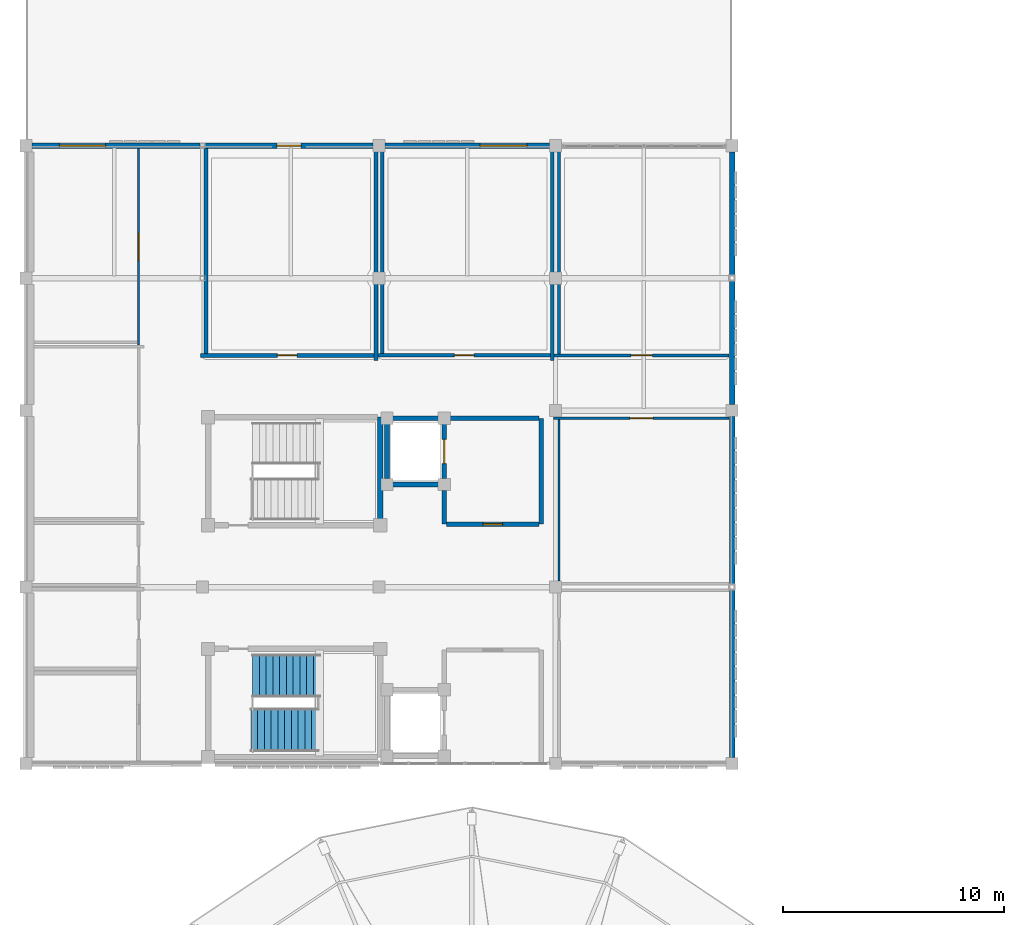
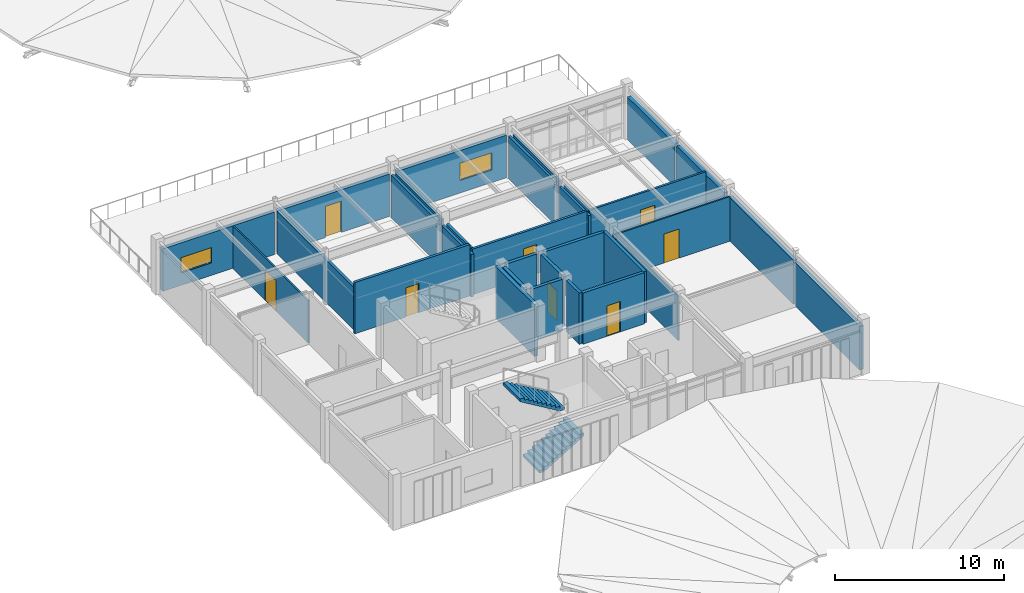
# One storey, part 27 of 31: 31 walls, 8 doors, 2 stair flights, 2 windows, 10 openings, 1 element without a shape of its own.
"""IFC4 building model written with IfcOpenShell, lengths in metres."""

from ifc_helpers import new_model, si_unit, direction, frame, frame_2d, origin, place, context, subcontext, project, spatial, polyline, rectangle, outline, extrude, material, layer, layer_set, type_object, element, fill, aggregate, save


model = new_model("IFC4")

# Units and contexts
model_context = context("Model", 3, precision=1e-05, world=origin(), true_north=direction((0.0, 1.0)))
body_context = subcontext(model_context, "Body", "Model", "MODEL_VIEW")
ifc_project = project(units=[si_unit("LENGTHUNIT", "METRE"), si_unit("AREAUNIT", "SQUARE_METRE"), si_unit("VOLUMEUNIT", "CUBIC_METRE"), si_unit("PLANEANGLEUNIT", "RADIAN"), si_unit("MASSUNIT", "GRAM", prefix="KILO")], contexts=[model_context])

# Site, building, storey
site_placement = place(None, origin())
site = spatial("IfcSite", under=ifc_project, at=site_placement, CompositionType="ELEMENT")
building_placement = place(site_placement, origin())
building = spatial("IfcBuilding", under=site, at=building_placement, Name="Celadon Cloister-Ring School", CompositionType="ELEMENT")
storey_placement = place(building_placement, frame((0.0, 0.0, 16.5)))
storey = spatial("IfcBuildingStorey", under=building, at=storey_placement, Name="L04", CompositionType="ELEMENT", Elevation=16.5)

# Wall, opening, window
ifc_material_1 = material(Name="Rendered concrete blockwork", Category="masonry")
ifc_layer_1 = layer(ifc_material_1, 0.260009765625)
ifc_layer_set_1 = layer_set([ifc_layer_1], Name="Rendered concrete blockwork")
wall_type_1 = type_object("IfcWallType", Name="WT-EX2", PredefinedType="SOLIDWALL", material=ifc_layer_set_1)
wall_1_placement = place(storey_placement, frame((0.277099609375, 68.0, 0.0), z_axis=(0.0, 0.0, 1.0), x_axis=(1.0, 0.0, 0.0)))
wall_1 = element("IfcWall", 1, at=wall_1_placement, inside=storey, type_object=wall_type_1, Name="Exterior Wall 0543", PredefinedType="SOLIDWALL", context=body_context, shape_type="SweptSolid", body=[
    extrude(rectangle(XDim=7.61083984375, YDim=0.260009765625, at=frame_2d((3.805419921875, 0.0))), origin(), (0.0, 0.0, 1.0), 3.068115234375),
])
opening_1_placement = place(wall_1_placement, frame((1.23291015625, 0.0, 0.89990234375)))
opening_1 = element("IfcOpeningElement", 2, at=opening_1_placement, cuts=wall_1, Name="Opening WN-09", PredefinedType="OPENING", context=body_context, shape_type="SweptSolid", body=[
    extrude(rectangle(XDim=2.10009765625, YDim=1.10009765625, at=frame_2d((1.050048828125, 0.550048828125))), frame((0.0, 0.14013671875, 0.0), z_axis=(0.0, -1.0, 0.0), x_axis=(1.0, 0.0, 0.0)), (0.0, 0.0, 1.0), 0.280029296875),
])
ifc_material_2 = material(Name="Tempered laminated insulating glass", Category="glass")
window_type_1 = type_object("IfcWindowType", Name="WN-09", PartitioningType="DOUBLE_PANEL_VERTICAL", PredefinedType="WINDOW", material=ifc_material_2)
window_1_placement = place(opening_1_placement, origin())
window_1 = element("IfcWindow", 3, at=window_1_placement, inside=storey, type_object=window_type_1, Name="Window 1010", OverallHeight=1.10009765625, OverallWidth=2.10009765625, PartitioningType="SINGLE_PANEL", PredefinedType="WINDOW", context=body_context, shape_type="SweptSolid", body=[
    extrude(rectangle(XDim=2.10009765625, YDim=1.10009765625, at=frame_2d((1.050048828125, 0.550048828125))), frame((0.0, 0.030029296875, 0.0), z_axis=(0.0, -1.0, 0.0), x_axis=(1.0, 0.0, 0.0)), (0.0, 0.0, 1.0), 0.06005859375),
])
fill(opening_1, window_1)

# Wall, opening, door
wall_2_placement = place(storey_placement, frame((8.112060546875, 68.0, 0.0), z_axis=(0.0, 0.0, 1.0), x_axis=(1.0, 0.0, 0.0)))
wall_2 = element("IfcWall", 4, at=wall_2_placement, inside=storey, type_object=wall_type_1, Name="Exterior Wall 0544", PredefinedType="SOLIDWALL", context=body_context, shape_type="SweptSolid", body=[
    extrude(rectangle(XDim=7.61083984375, YDim=0.260009765625, at=frame_2d((3.805419921875, 0.0))), origin(), (0.0, 0.0, 1.0), 3.068115234375),
])
opening_2_placement = place(wall_2_placement, frame((3.256103515625, 0.0, 0.0)))
opening_2 = element("IfcOpeningElement", 5, at=opening_2_placement, cuts=wall_2, Name="Opening D-0026", PredefinedType="OPENING", context=body_context, shape_type="SweptSolid", body=[
    extrude(rectangle(XDim=1.10009765625, YDim=2.25, at=frame_2d((0.550048828125, 1.125))), frame((0.0, 0.14013671875, 0.0), z_axis=(0.0, -1.0, 0.0), x_axis=(1.0, 0.0, 0.0)), (0.0, 0.0, 1.0), 0.280029296875),
])
ifc_material_3 = material(Name="Aluminium EN AW-6063 T6", Category="aluminium")
door_type_1 = type_object("IfcDoorType", Name="DE-05", OperationType="NOTDEFINED", PredefinedType="DOOR", material=ifc_material_3)
door_1_placement = place(opening_2_placement, origin())
door_1 = element("IfcDoor", 6, at=door_1_placement, inside=storey, type_object=door_type_1, Name="Exterior Door D-0026", OperationType="SINGLE_SWING_RIGHT", OverallHeight=2.25, OverallWidth=1.10009765625, PredefinedType="DOOR", context=body_context, shape_type="SweptSolid", body=[
    extrude(rectangle(XDim=1.10009765625, YDim=2.25, at=frame_2d((0.550048828125, 1.125))), frame((0.0, 0.02490234375, 0.0), z_axis=(0.0, -1.0, 0.0), x_axis=(1.0, 0.0, 0.0)), (0.0, 0.0, 1.0), 0.050048828125),
])
fill(opening_2, door_1)

# Wall, opening, window
wall_3_placement = place(storey_placement, frame((16.277099609375, 68.0, 0.0), z_axis=(0.0, 0.0, 1.0), x_axis=(1.0, 0.0, 0.0)))
wall_3 = element("IfcWall", 7, at=wall_3_placement, inside=storey, type_object=wall_type_1, Name="Exterior Wall 0545", PredefinedType="SOLIDWALL", context=body_context, shape_type="SweptSolid", body=[
    extrude(rectangle(XDim=7.44580078125, YDim=0.260009765625, at=frame_2d((3.722900390625, 0.0))), origin(), (0.0, 0.0, 1.0), 3.068115234375),
])
opening_3_placement = place(wall_3_placement, frame((4.285888671875, 0.0, 0.89990234375)))
opening_3 = element("IfcOpeningElement", 8, at=opening_3_placement, cuts=wall_3, Name="Opening WN-19", PredefinedType="OPENING", context=body_context, shape_type="SweptSolid", body=[
    extrude(rectangle(XDim=2.14990234375, YDim=1.25, at=frame_2d((1.074951171875, 0.625))), frame((0.0, 0.14013671875, 0.0), z_axis=(0.0, -1.0, 0.0), x_axis=(1.0, 0.0, 0.0)), (0.0, 0.0, 1.0), 0.280029296875),
])
ifc_material_4 = material(Name="Tempered laminated insulating glass", Category="glass")
window_type_2 = type_object("IfcWindowType", Name="WN-19", PartitioningType="DOUBLE_PANEL_VERTICAL", PredefinedType="WINDOW", material=ifc_material_4)
window_2_placement = place(opening_3_placement, origin())
window_2 = element("IfcWindow", 9, at=window_2_placement, inside=storey, type_object=window_type_2, Name="Window 1011", OverallHeight=1.25, OverallWidth=2.14990234375, PartitioningType="SINGLE_PANEL", PredefinedType="WINDOW", context=body_context, shape_type="SweptSolid", body=[
    extrude(rectangle(XDim=2.14990234375, YDim=1.25, at=frame_2d((1.074951171875, 0.625))), frame((0.0, 0.030029296875, 0.0), z_axis=(0.0, -1.0, 0.0), x_axis=(1.0, 0.0, 0.0)), (0.0, 0.0, 1.0), 0.06005859375),
])
fill(opening_3, window_2)

# Walls
for number, where, z_axis, x_axis, name in (
    (10, (32.0, 67.722900390625, 0.0), (0.0, 0.0, 1.0), (0.0, -1.0, 0.0), "Exterior Wall 0546"),
    (11, (32.0, 61.887939453125, 0.0), (0.0, 0.0, 1.0), (0.0, -1.0, 0.0), "Exterior Wall 0547"),
):
    element("IfcWall", number, at=place(storey_placement, frame(where, z_axis=z_axis, x_axis=x_axis)), inside=storey, type_object=wall_type_1, Name=name, PredefinedType="SOLIDWALL", context=body_context, shape_type="SweptSolid", body=[
        extrude(rectangle(XDim=5.61083984375, YDim=0.260009765625, at=frame_2d((2.805419921875, 0.0))), origin(), (0.0, 0.0, 1.0), 3.068115234375),
    ])
for number, where, z_axis, x_axis, name in (
    (12, (32.0, 55.722900390625, 0.0), (0.0, 0.0, 1.0), (0.0, -1.0, 0.0), "Exterior Wall 0548"),
    (13, (32.0, 47.887939453125, 0.0), (0.0, 0.0, 1.0), (0.0, -1.0, 0.0), "Exterior Wall 0549"),
):
    element("IfcWall", number, at=place(storey_placement, frame(where, z_axis=z_axis, x_axis=x_axis)), inside=storey, type_object=wall_type_1, Name=name, PredefinedType="SOLIDWALL", context=body_context, shape_type="SweptSolid", body=[
        extrude(rectangle(XDim=7.61083984375, YDim=0.260009765625, at=frame_2d((3.805419921875, 0.0))), origin(), (0.0, 0.0, 1.0), 3.14892578125),
    ])
ifc_material_5 = material(Name="Plastered hollow concrete masonry", Category="masonry")
ifc_layer_2 = layer(ifc_material_5, 0.199951171875)
ifc_layer_set_2 = layer_set([ifc_layer_2], Name="Plastered hollow concrete masonry")
wall_type_2 = type_object("IfcWallType", Name="WT-PT1", PredefinedType="PARTITIONING", material=ifc_layer_set_2)
wall_4_placement = place(storey_placement, frame((18.949951171875, 50.85009765625, 0.0), z_axis=(0.0, 0.0, 1.0), x_axis=(0.0, 1.0, 0.0)))
element("IfcWall", 14, at=wall_4_placement, inside=storey, type_object=wall_type_2, Name="Interior Wall 0287", PredefinedType="PARTITIONING", context=body_context, shape_type="SweptSolid", body=[
    extrude(rectangle(XDim=1.532958984375, YDim=0.199951171875, at=frame_2d((0.7666015625, 0.0))), origin(), (0.0, 0.0, 1.0), 3.699951171875),
])
wall_5_placement = place(storey_placement, frame((23.35009765625, 50.85009765625, 0.0), z_axis=(0.0, 0.0, 1.0), x_axis=(0.0, 1.0, 0.0)))
element("IfcWall", 15, at=wall_5_placement, inside=storey, type_object=wall_type_2, Name="Interior Wall 0288", PredefinedType="PARTITIONING", context=body_context, shape_type="SweptSolid", body=[
    extrude(rectangle(XDim=4.7998046875, YDim=0.199951171875, at=frame_2d((2.39990234375, 0.0))), origin(), (0.0, 0.0, 1.0), 3.699951171875),
])
wall_6_placement = place(storey_placement, frame((19.217041015625, 55.64990234375, 0.0), z_axis=(0.0, 0.0, 1.0), x_axis=(1.0, 0.0, 0.0)))
element("IfcWall", 16, at=wall_6_placement, inside=storey, type_object=wall_type_2, Name="Interior Wall 0289", PredefinedType="PARTITIONING", context=body_context, shape_type="SweptSolid", body=[
    extrude(rectangle(XDim=4.030029296875, YDim=0.199951171875, at=frame_2d((2.01513671875, 0.0))), origin(), (0.0, 0.0, 1.0), 3.699951171875),
])

# Wall, opening, door
wall_7_placement = place(storey_placement, frame((19.052978515625, 50.85009765625, 0.0), z_axis=(0.0, 0.0, 1.0), x_axis=(1.0, 0.0, 0.0)))
wall_7 = element("IfcWall", 17, at=wall_7_placement, inside=storey, type_object=wall_type_2, Name="Interior Wall 0290", PredefinedType="PARTITIONING", context=body_context, shape_type="SweptSolid", body=[
    extrude(rectangle(XDim=4.194091796875, YDim=0.199951171875, at=frame_2d((2.09716796875, 0.0))), origin(), (0.0, 0.0, 1.0), 3.699951171875),
])
opening_4_placement = place(wall_7_placement, frame((1.64697265625, 0.0, 0.0)))
opening_4 = element("IfcOpeningElement", 18, at=opening_4_placement, cuts=wall_7, Name="Opening D-0095", PredefinedType="OPENING", context=body_context, shape_type="SweptSolid", body=[
    extrude(rectangle(XDim=0.89990234375, YDim=2.199951171875, at=frame_2d((0.449951171875, 1.10009765625))), frame((0.0, 0.10986328125, 0.0), z_axis=(0.0, -1.0, 0.0), x_axis=(1.0, 0.0, 0.0)), (0.0, 0.0, 1.0), 0.219970703125),
])
ifc_material_6 = material(Name="Solid-core fire-rated hardwood leaf", Category="wood")
door_type_2 = type_object("IfcDoorType", Name="DT-06", OperationType="NOTDEFINED", PredefinedType="DOOR", material=ifc_material_6)
door_2_placement = place(opening_4_placement, origin())
door_2 = element("IfcDoor", 19, at=door_2_placement, inside=storey, type_object=door_type_2, Name="Door D-0095", OperationType="SINGLE_SWING_LEFT", OverallHeight=2.199951171875, OverallWidth=0.89990234375, PredefinedType="DOOR", context=body_context, shape_type="SweptSolid", body=[
    extrude(rectangle(XDim=0.89990234375, YDim=2.199951171875, at=frame_2d((0.449951171875, 1.10009765625))), frame((0.0, 0.02490234375, 0.0), z_axis=(0.0, -1.0, 0.0), x_axis=(1.0, 0.0, 0.0)), (0.0, 0.0, 1.0), 0.050048828125),
])
fill(opening_4, door_2)

# Walls
ifc_material_7 = material(Name="Plastered hollow concrete masonry", Category="masonry")
ifc_layer_3 = layer(ifc_material_7, 0.179931640625)
ifc_layer_set_3 = layer_set([ifc_layer_3], Name="Plastered hollow concrete masonry")
wall_type_3 = type_object("IfcWallType", Name="WT-PT2", PredefinedType="PARTITIONING", material=ifc_layer_set_3)
wall_8_placement = place(storey_placement, frame((15.85009765625, 67.73291015625, 0.0), z_axis=(0.0, 0.0, 1.0), x_axis=(0.0, -1.0, 0.0)))
element("IfcWall", 20, at=wall_8_placement, inside=storey, type_object=wall_type_3, Name="Interior Wall 1117", PredefinedType="PARTITIONING", context=body_context, shape_type="SweptSolid", body=[
    extrude(rectangle(XDim=5.4658203125, YDim=0.179931640625, at=frame_2d((2.73291015625, 0.0))), origin(), (0.0, 0.0, 1.0), 3.068115234375),
])
wall_9_placement = place(storey_placement, frame((15.85009765625, 61.73291015625, 0.0), z_axis=(0.0, 0.0, 1.0), x_axis=(0.0, -1.0, 0.0)))
element("IfcWall", 21, at=wall_9_placement, inside=storey, type_object=wall_type_3, Name="Interior Wall 1118", PredefinedType="PARTITIONING", context=body_context, shape_type="SweptSolid", body=[
    extrude(rectangle(XDim=3.472900390625, YDim=0.179931640625, at=frame_2d((1.736328125, 0.0))), origin(), (0.0, 0.0, 1.0), 3.068115234375),
])

# Wall, opening, door
wall_10_placement = place(storey_placement, frame((15.757080078125, 58.5, 0.0), z_axis=(0.0, 0.0, 1.0), x_axis=(-1.0, 0.0, 0.0)))
wall_10 = element("IfcWall", 22, at=wall_10_placement, inside=storey, type_object=wall_type_3, Name="Interior Wall 1119", PredefinedType="PARTITIONING", context=body_context, shape_type="SweptSolid", body=[
    extrude(rectangle(XDim=7.84716796875, YDim=0.179931640625, at=frame_2d((3.923583984375, 0.0))), origin(), (0.0, 0.0, 1.0), 3.699951171875),
])
opening_5_placement = place(wall_10_placement, frame((3.48291015625, 0.0, 0.0)))
opening_5 = element("IfcOpeningElement", 23, at=opening_5_placement, cuts=wall_10, Name="Opening D-0397", PredefinedType="OPENING", context=body_context, shape_type="SweptSolid", body=[
    extrude(rectangle(XDim=0.8798828125, YDim=2.10009765625, at=frame_2d((0.43994140625, 1.050048828125))), frame((0.0, 0.10009765625, 0.0), z_axis=(0.0, -1.0, 0.0), x_axis=(1.0, 0.0, 0.0)), (0.0, 0.0, 1.0), 0.199951171875),
])
ifc_material_8 = material(Name="Solid-core fire-rated hardwood leaf", Category="wood")
door_type_3 = type_object("IfcDoorType", Name="DT-01", OperationType="NOTDEFINED", PredefinedType="DOOR", material=ifc_material_8)
door_3_placement = place(opening_5_placement, origin())
door_3 = element("IfcDoor", 24, at=door_3_placement, inside=storey, type_object=door_type_3, Name="Door D-0397", OperationType="SINGLE_SWING_LEFT", OverallHeight=2.10009765625, OverallWidth=0.8798828125, PredefinedType="DOOR", context=body_context, shape_type="SweptSolid", body=[
    extrude(rectangle(XDim=0.8798828125, YDim=2.10009765625, at=frame_2d((0.43994140625, 1.050048828125))), frame((0.0, 0.02490234375, 0.0), z_axis=(0.0, -1.0, 0.0), x_axis=(1.0, 0.0, 0.0)), (0.0, 0.0, 1.0), 0.050048828125),
])
fill(opening_5, door_3)

# Walls
wall_11_placement = place(storey_placement, frame((8.14990234375, 58.593017578125, 0.0), z_axis=(0.0, 0.0, 1.0), x_axis=(0.0, 1.0, 0.0)))
element("IfcWall", 25, at=wall_11_placement, inside=storey, type_object=wall_type_3, Name="Interior Wall 1120", PredefinedType="PARTITIONING", context=body_context, shape_type="SweptSolid", body=[
    extrude(rectangle(XDim=9.27392578125, YDim=0.179931640625, at=frame_2d((4.636962890625, 0.0))), origin(), (0.0, 0.0, 1.0), 3.068115234375),
])
ifc_material_9 = material(Name="Plastered hollow concrete masonry", Category="masonry")
ifc_layer_4 = layer(ifc_material_9, 0.159912109375)
ifc_layer_set_4 = layer_set([ifc_layer_4], Name="Plastered hollow concrete masonry")
wall_type_4 = type_object("IfcWallType", Name="WT-PT3", PredefinedType="PARTITIONING", material=ifc_layer_set_4)
wall_12_placement = place(storey_placement, frame((23.85009765625, 67.73291015625, 0.0), z_axis=(0.0, 0.0, 1.0), x_axis=(0.0, -1.0, 0.0)))
element("IfcWall", 26, at=wall_12_placement, inside=storey, type_object=wall_type_4, Name="Interior Wall 1121", PredefinedType="PARTITIONING", context=body_context, shape_type="SweptSolid", body=[
    extrude(rectangle(XDim=5.4658203125, YDim=0.159912109375, at=frame_2d((2.73291015625, 0.0))), origin(), (0.0, 0.0, 1.0), 3.068115234375),
])
wall_13_placement = place(storey_placement, frame((23.85009765625, 61.73291015625, 0.0), z_axis=(0.0, 0.0, 1.0), x_axis=(0.0, -1.0, 0.0)))
element("IfcWall", 27, at=wall_13_placement, inside=storey, type_object=wall_type_4, Name="Interior Wall 1122", PredefinedType="PARTITIONING", context=body_context, shape_type="SweptSolid", body=[
    extrude(rectangle(XDim=3.472900390625, YDim=0.159912109375, at=frame_2d((1.736328125, 0.0))), origin(), (0.0, 0.0, 1.0), 3.068115234375),
])

# Wall, opening, door
wall_14_placement = place(storey_placement, frame((23.76708984375, 58.5, 0.0), z_axis=(0.0, 0.0, 1.0), x_axis=(-1.0, 0.0, 0.0)))
wall_14 = element("IfcWall", 28, at=wall_14_placement, inside=storey, type_object=wall_type_4, Name="Interior Wall 1123", PredefinedType="PARTITIONING", context=body_context, shape_type="SweptSolid", body=[
    extrude(rectangle(XDim=7.823974609375, YDim=0.159912109375, at=frame_2d((3.912109375, 0.0))), origin(), (0.0, 0.0, 1.0), 3.294921875),
])
opening_6_placement = place(wall_14_placement, frame((3.471923828125, 0.0, 0.0)))
opening_6 = element("IfcOpeningElement", 29, at=opening_6_placement, cuts=wall_14, Name="Opening D-0398", PredefinedType="OPENING", context=body_context, shape_type="SweptSolid", body=[
    extrude(rectangle(XDim=0.8798828125, YDim=2.10009765625, at=frame_2d((0.43994140625, 1.050048828125))), frame((0.0, 0.08984375, 0.0), z_axis=(0.0, -1.0, 0.0), x_axis=(1.0, 0.0, 0.0)), (0.0, 0.0, 1.0), 0.179931640625),
])
door_4_placement = place(opening_6_placement, origin())
door_4 = element("IfcDoor", 30, at=door_4_placement, inside=storey, type_object=door_type_3, Name="Door D-0398", OperationType="SINGLE_SWING_RIGHT", OverallHeight=2.10009765625, OverallWidth=0.8798828125, PredefinedType="DOOR", context=body_context, shape_type="SweptSolid", body=[
    extrude(rectangle(XDim=0.8798828125, YDim=2.10009765625, at=frame_2d((0.43994140625, 1.050048828125))), frame((0.0, 0.02490234375, 0.0), z_axis=(0.0, -1.0, 0.0), x_axis=(1.0, 0.0, 0.0)), (0.0, 0.0, 1.0), 0.050048828125),
])
fill(opening_6, door_4)

# Walls
wall_15_placement = place(storey_placement, frame((16.14990234375, 58.5830078125, 0.0), z_axis=(0.0, 0.0, 1.0), x_axis=(0.0, 1.0, 0.0)))
element("IfcWall", 31, at=wall_15_placement, inside=storey, type_object=wall_type_4, Name="Interior Wall 1124", PredefinedType="PARTITIONING", context=body_context, shape_type="SweptSolid", body=[
    extrude(rectangle(XDim=3.14990234375, YDim=0.159912109375, at=frame_2d((1.574951171875, 0.0))), origin(), (0.0, 0.0, 1.0), 3.068115234375),
])
wall_16_placement = place(storey_placement, frame((16.14990234375, 62.26708984375, 0.0), z_axis=(0.0, 0.0, 1.0), x_axis=(0.0, 1.0, 0.0)))
element("IfcWall", 32, at=wall_16_placement, inside=storey, type_object=wall_type_4, Name="Interior Wall 1125", PredefinedType="PARTITIONING", context=body_context, shape_type="SweptSolid", body=[
    extrude(rectangle(XDim=5.4658203125, YDim=0.159912109375, at=frame_2d((2.73291015625, 0.0))), origin(), (0.0, 0.0, 1.0), 3.068115234375),
])

# Wall, opening, door
ifc_material_10 = material(Name="Acoustic mineral-wool drywall partition")
ifc_layer_5 = layer(ifc_material_10, 0.139892578125)
ifc_layer_set_5 = layer_set([ifc_layer_5], Name="Acoustic mineral-wool drywall partition")
wall_type_5 = type_object("IfcWallType", Name="WT-PT4", PredefinedType="PARTITIONING", material=ifc_layer_set_5)
wall_17_placement = place(storey_placement, frame((31.866943359375, 58.5, 0.0), z_axis=(0.0, 0.0, 1.0), x_axis=(-1.0, 0.0, 0.0)))
wall_17 = element("IfcWall", 33, at=wall_17_placement, inside=storey, type_object=wall_type_5, Name="Interior Wall 1126", PredefinedType="PARTITIONING", context=body_context, shape_type="SweptSolid", body=[
    extrude(rectangle(XDim=7.933837890625, YDim=0.139892578125, at=frame_2d((3.966796875, 0.0))), origin(), (0.0, 0.0, 1.0), 3.294921875),
])
opening_7_placement = place(wall_17_placement, frame((3.487060546875, 0.0, 0.0)))
opening_7 = element("IfcOpeningElement", 34, at=opening_7_placement, cuts=wall_17, Name="Opening D-0399", PredefinedType="OPENING", context=body_context, shape_type="SweptSolid", body=[
    extrude(rectangle(XDim=0.9599609375, YDim=2.10009765625, at=frame_2d((0.47998046875, 1.050048828125))), frame((0.0, 0.080078125, 0.0), z_axis=(0.0, -1.0, 0.0), x_axis=(1.0, 0.0, 0.0)), (0.0, 0.0, 1.0), 0.159912109375),
])
ifc_material_11 = material(Name="Solid-core fire-rated hardwood leaf", Category="wood")
door_type_4 = type_object("IfcDoorType", Name="DT-03", OperationType="NOTDEFINED", PredefinedType="DOOR", material=ifc_material_11)
door_5_placement = place(opening_7_placement, origin())
door_5 = element("IfcDoor", 35, at=door_5_placement, inside=storey, type_object=door_type_4, Name="Door D-0399", OperationType="SINGLE_SWING_LEFT", OverallHeight=2.10009765625, OverallWidth=0.9599609375, PredefinedType="DOOR", context=body_context, shape_type="SweptSolid", body=[
    extrude(rectangle(XDim=0.9599609375, YDim=2.10009765625, at=frame_2d((0.47998046875, 1.050048828125))), frame((0.0, 0.02490234375, 0.0), z_axis=(0.0, -1.0, 0.0), x_axis=(1.0, 0.0, 0.0)), (0.0, 0.0, 1.0), 0.050048828125),
])
fill(opening_7, door_5)

# Walls
wall_18_placement = place(storey_placement, frame((24.14990234375, 58.572998046875, 0.0), z_axis=(0.0, 0.0, 1.0), x_axis=(0.0, 1.0, 0.0)))
element("IfcWall", 36, at=wall_18_placement, inside=storey, type_object=wall_type_5, Name="Interior Wall 1127", PredefinedType="PARTITIONING", context=body_context, shape_type="SweptSolid", body=[
    extrude(rectangle(XDim=3.159912109375, YDim=0.139892578125, at=frame_2d((1.580078125, 0.0))), origin(), (0.0, 0.0, 1.0), 3.068115234375),
])
wall_19_placement = place(storey_placement, frame((24.14990234375, 62.26708984375, 0.0), z_axis=(0.0, 0.0, 1.0), x_axis=(0.0, 1.0, 0.0)))
element("IfcWall", 37, at=wall_19_placement, inside=storey, type_object=wall_type_5, Name="Interior Wall 1128", PredefinedType="PARTITIONING", context=body_context, shape_type="SweptSolid", body=[
    extrude(rectangle(XDim=5.4658203125, YDim=0.139892578125, at=frame_2d((2.73291015625, 0.0))), origin(), (0.0, 0.0, 1.0), 3.068115234375),
])

# Wall, opening, door
ifc_material_12 = material(Name="Acoustic mineral-wool drywall partition")
ifc_layer_6 = layer(ifc_material_12, 0.10009765625)
ifc_layer_set_6 = layer_set([ifc_layer_6], Name="Acoustic mineral-wool drywall partition")
wall_type_6 = type_object("IfcWallType", Name="WT-PT6", PredefinedType="PARTITIONING", material=ifc_layer_set_6)
wall_20_placement = place(storey_placement, frame((23.909912109375, 55.64990234375, 0.0), z_axis=(0.0, 0.0, 1.0), x_axis=(1.0, 0.0, 0.0)))
wall_20 = element("IfcWall", 38, at=wall_20_placement, inside=storey, type_object=wall_type_6, Name="Interior Wall 1131", PredefinedType="PARTITIONING", context=body_context, shape_type="SweptSolid", body=[
    extrude(rectangle(XDim=7.95703125, YDim=0.10009765625, at=frame_2d((3.978515625, 0.0))), origin(), (0.0, 0.0, 1.0), 3.222900390625),
])
opening_8_placement = place(wall_20_placement, frame((3.4541015625, 0.0, 0.0)))
opening_8 = element("IfcOpeningElement", 39, at=opening_8_placement, cuts=wall_20, Name="Opening D-0401", PredefinedType="OPENING", context=body_context, shape_type="SweptSolid", body=[
    extrude(rectangle(XDim=1.050048828125, YDim=2.10009765625, at=frame_2d((0.52490234375, 1.050048828125))), frame((0.0, 0.06005859375, 0.0), z_axis=(0.0, -1.0, 0.0), x_axis=(1.0, 0.0, 0.0)), (0.0, 0.0, 1.0), 0.1201171875),
])
ifc_material_13 = material(Name="Solid-core fire-rated hardwood leaf", Category="wood")
door_type_5 = type_object("IfcDoorType", Name="DT-05", OperationType="NOTDEFINED", PredefinedType="DOOR", material=ifc_material_13)
door_6_placement = place(opening_8_placement, origin())
door_6 = element("IfcDoor", 40, at=door_6_placement, inside=storey, type_object=door_type_5, Name="Door D-0401", OperationType="SINGLE_SWING_LEFT", OverallHeight=2.10009765625, OverallWidth=1.050048828125, PredefinedType="DOOR", context=body_context, shape_type="SweptSolid", body=[
    extrude(rectangle(XDim=1.050048828125, YDim=2.10009765625, at=frame_2d((0.52490234375, 1.050048828125))), frame((0.0, 0.02490234375, 0.0), z_axis=(0.0, -1.0, 0.0), x_axis=(1.0, 0.0, 0.0)), (0.0, 0.0, 1.0), 0.050048828125),
])
fill(opening_8, door_6)

# Wall
wall_21_placement = place(storey_placement, frame((24.14990234375, 48.26708984375, 0.0), z_axis=(0.0, 0.0, 1.0), x_axis=(0.0, 1.0, 0.0)))
element("IfcWall", 41, at=wall_21_placement, inside=storey, type_object=wall_type_6, Name="Interior Wall 1133", PredefinedType="PARTITIONING", context=body_context, shape_type="SweptSolid", body=[
    extrude(rectangle(XDim=7.329833984375, YDim=0.10009765625, at=frame_2d((3.6650390625, 0.0))), origin(), (0.0, 0.0, 1.0), 3.222900390625),
])

# Wall, opening, door
wall_22_placement = place(storey_placement, frame((5.10009765625, 67.866943359375, 0.0), z_axis=(0.0, 0.0, 1.0), x_axis=(0.0, -1.0, 0.0)))
wall_22 = element("IfcWall", 42, at=wall_22_placement, inside=storey, type_object=wall_type_6, Name="Interior Wall 1145", PredefinedType="PARTITIONING", context=body_context, shape_type="SweptSolid", body=[
    extrude(rectangle(XDim=8.904052734375, YDim=0.10009765625, at=frame_2d((4.4521484375, 0.0))), origin(), (0.0, 0.0, 1.0), 3.068115234375),
])
opening_9_placement = place(wall_22_placement, frame((3.826904296875, 0.0, 0.0)))
opening_9 = element("IfcOpeningElement", 43, at=opening_9_placement, cuts=wall_22, Name="Opening D-0406", PredefinedType="OPENING", context=body_context, shape_type="SweptSolid", body=[
    extrude(rectangle(XDim=1.25, YDim=2.199951171875, at=frame_2d((0.625, 1.10009765625))), frame((0.0, 0.06005859375, 0.0), z_axis=(0.0, -1.0, 0.0), x_axis=(1.0, 0.0, 0.0)), (0.0, 0.0, 1.0), 0.1201171875),
])
ifc_material_14 = material(Name="Galvanised fire-rated hollow steel leaf", Category="steel")
door_type_6 = type_object("IfcDoorType", Name="DT-10", OperationType="NOTDEFINED", PredefinedType="DOOR", material=ifc_material_14)
door_7_placement = place(opening_9_placement, origin())
door_7 = element("IfcDoor", 44, at=door_7_placement, inside=storey, type_object=door_type_6, Name="Door D-0406", OperationType="SINGLE_SWING_RIGHT", OverallHeight=2.199951171875, OverallWidth=1.25, PredefinedType="DOOR", context=body_context, shape_type="SweptSolid", body=[
    extrude(rectangle(XDim=1.25, YDim=2.199951171875, at=frame_2d((0.625, 1.10009765625))), frame((0.0, 0.02490234375, 0.0), z_axis=(0.0, -1.0, 0.0), x_axis=(1.0, 0.0, 0.0)), (0.0, 0.0, 1.0), 0.050048828125),
])
fill(opening_9, door_7)

# Walls
ifc_material_15 = material(Name="Concrete C40/50", Category="concrete")
ifc_layer_7 = layer(ifc_material_15, 0.239990234375)
ifc_layer_set_7 = layer_set([ifc_layer_7], Name="Concrete C40/50")
wall_type_7 = type_object("IfcWallType", Name="WT-SH1", PredefinedType="SHEAR", material=ifc_layer_set_7)
wall_23_placement = place(storey_placement, frame((16.050048828125, 55.699951171875, 0.0), z_axis=(0.0, 0.0, 1.0), x_axis=(0.0, -1.0, 0.0)))
element("IfcWall", 45, at=wall_23_placement, inside=storey, type_object=wall_type_7, Name="Interior Wall 0042", PredefinedType="SHEAR", context=body_context, shape_type="SweptSolid", body=[
    extrude(rectangle(XDim=4.60791015625, YDim=0.239990234375, at=frame_2d((2.303955078125, 0.0))), origin(), (0.0, 0.0, 1.0), 3.739990234375),
])
ifc_material_16 = material(Name="Concrete C40/50", Category="concrete")
ifc_layer_8 = layer(ifc_material_16, 0.219970703125)
ifc_layer_set_8 = layer_set([ifc_layer_8], Name="Concrete C40/50")
wall_type_8 = type_object("IfcWallType", Name="WT-SH2", PredefinedType="SHEAR", material=ifc_layer_set_8)
wall_24_placement = place(storey_placement, frame((16.616943359375, 52.64990234375, 0.0), z_axis=(0.0, 0.0, 1.0), x_axis=(1.0, 0.0, 0.0)))
element("IfcWall", 46, at=wall_24_placement, inside=storey, type_object=wall_type_8, Name="Interior Wall 0283", PredefinedType="SHEAR", context=body_context, shape_type="SweptSolid", body=[
    extrude(rectangle(XDim=2.066162109375, YDim=0.219970703125, at=frame_2d((1.033203125, 0.0))), origin(), (0.0, 0.0, 1.0), 3.739990234375),
])

# Wall, opening, door
wall_25_placement = place(storey_placement, frame((18.949951171875, 52.9169921875, 0.0), z_axis=(0.0, 0.0, 1.0), x_axis=(0.0, 1.0, 0.0)))
wall_25 = element("IfcWall", 47, at=wall_25_placement, inside=storey, type_object=wall_type_8, Name="Interior Wall 0284", PredefinedType="SHEAR", context=body_context, shape_type="SweptSolid", body=[
    extrude(rectangle(XDim=2.466064453125, YDim=0.219970703125, at=frame_2d((1.23291015625, 0.0))), origin(), (0.0, 0.0, 1.0), 3.739990234375),
])
opening_10_placement = place(wall_25_placement, frame((0.68310546875, 0.0, 0.0)))
opening_10 = element("IfcOpeningElement", 48, at=opening_10_placement, cuts=wall_25, Name="Opening LD-011", PredefinedType="OPENING", context=body_context, shape_type="SweptSolid", body=[
    extrude(rectangle(XDim=1.10009765625, YDim=2.14990234375, at=frame_2d((0.550048828125, 1.074951171875))), frame((0.0, 0.1201171875, 0.0), z_axis=(0.0, -1.0, 0.0), x_axis=(1.0, 0.0, 0.0)), (0.0, 0.0, 1.0), 0.239990234375),
])
ifc_material_17 = material(Name="Galvanised fire-rated hollow steel leaf", Category="steel")
door_type_7 = type_object("IfcDoorType", Name="DT-LD1", OperationType="DOUBLE_DOOR_SLIDING", PredefinedType="DOOR", material=ifc_material_17)
door_8_placement = place(opening_10_placement, origin())
door_8 = element("IfcDoor", 49, at=door_8_placement, inside=storey, type_object=door_type_7, Name="Door LD-011", OperationType="DOUBLE_DOOR_SLIDING", OverallHeight=2.14990234375, OverallWidth=1.10009765625, PredefinedType="DOOR", context=body_context, shape_type="SweptSolid", body=[
    extrude(rectangle(XDim=1.10009765625, YDim=2.14990234375, at=frame_2d((0.550048828125, 1.074951171875))), frame((0.0, 0.02490234375, 0.0), z_axis=(0.0, -1.0, 0.0), x_axis=(1.0, 0.0, 0.0)), (0.0, 0.0, 1.0), 0.050048828125),
])
fill(opening_10, door_8)

# Walls
wall_26_placement = place(storey_placement, frame((18.68310546875, 55.64990234375, 0.0), z_axis=(0.0, 0.0, 1.0), x_axis=(-1.0, 0.0, 0.0)))
element("IfcWall", 50, at=wall_26_placement, inside=storey, type_object=wall_type_8, Name="Interior Wall 0285", PredefinedType="SHEAR", context=body_context, shape_type="SweptSolid", body=[
    extrude(rectangle(XDim=2.066162109375, YDim=0.219970703125, at=frame_2d((1.033203125, 0.0))), origin(), (0.0, 0.0, 1.0), 3.739990234375),
])
wall_27_placement = place(storey_placement, frame((16.35009765625, 55.383056640625, 0.0), z_axis=(0.0, 0.0, 1.0), x_axis=(0.0, -1.0, 0.0)))
element("IfcWall", 51, at=wall_27_placement, inside=storey, type_object=wall_type_8, Name="Interior Wall 0286", PredefinedType="SHEAR", context=body_context, shape_type="SweptSolid", body=[
    extrude(rectangle(XDim=2.466064453125, YDim=0.219970703125, at=frame_2d((1.23291015625, 0.0))), origin(), (0.0, 0.0, 1.0), 3.739990234375),
])

# Stair, stair flights
ifc_material_18 = material(Name="Concrete C35/45", Category="concrete")
stair_type = type_object("IfcStairType", Name="ST-02", PredefinedType="HALF_TURN_STAIR", material=ifc_material_18)
stair_placement = place(storey_placement, origin())
stair = element("IfcStair", 52, at=stair_placement, inside=storey, type_object=stair_type, Name="Exit Stair ST-V5A L04", PredefinedType="HALF_TURN_STAIR")
ifc_material_19 = material(Name="Concrete C35/45", Category="concrete")
stair_flight_type = type_object("IfcStairFlightType", Name="SFL-01", PredefinedType="STRAIGHT", material=ifc_material_19)
stair_flight_1_placement = place(storey_placement, frame((10.18994140625, 41.52001953125, 0.0), z_axis=(0.0, 0.0, 1.0), x_axis=(1.0, 0.0, 0.0)))
stair_flight_1 = element("IfcStairFlight", 53, at=stair_flight_1_placement, type_object=stair_flight_type, Name="ST-02 flight 1", NumberOfRisers=11, NumberOfTreads=10, PredefinedType="STRAIGHT", RiserHeight=0.181818182, TreadLength=0.305, context=body_context, shape_type="SweptSolid", body=[
    extrude(outline(polyline([(0.0, 0.0), (0.0, 0.181884765625), (0.304931640625, 0.181884765625), (0.304931640625, 0.363525390625), (0.610107421875, 0.363525390625), (0.610107421875, 0.54541015625), (0.9150390625, 0.54541015625), (0.9150390625, 0.727294921875), (1.219970703125, 0.727294921875), (1.219970703125, 0.9091796875), (1.52490234375, 0.9091796875), (1.52490234375, 1.0908203125), (1.830078125, 1.0908203125), (1.830078125, 1.272705078125), (2.135009765625, 1.272705078125), (2.135009765625, 1.45458984375), (2.43994140625, 1.45458984375), (2.43994140625, 1.636474609375), (2.7451171875, 1.636474609375), (2.7451171875, 1.818115234375), (3.050048828125, 1.818115234375), (3.050048828125, 2.0), (3.050048828125, 1.632080078125), (0.312255859375, 0.0), (0.0, 0.0)])), frame((0.0, 0.97998046875, 0.0), z_axis=(0.0, -1.0, 0.0), x_axis=(1.0, 0.0, 0.0)), (0.0, 0.0, 1.0), 1.9599609375),
])
stair_flight_2_placement = place(storey_placement, frame((13.320068359375, 43.97998046875, 2.0), z_axis=(0.0, 0.0, 1.0), x_axis=(-1.0, 0.0, 0.0)))
stair_flight_2 = element("IfcStairFlight", 54, at=stair_flight_2_placement, type_object=stair_flight_type, Name="ST-02 flight 2", NumberOfRisers=11, NumberOfTreads=10, PredefinedType="STRAIGHT", RiserHeight=0.181818182, TreadLength=0.305, context=body_context, shape_type="SweptSolid", body=[
    extrude(outline(polyline([(0.0, 0.0), (0.0, 0.181884765625), (0.304931640625, 0.181884765625), (0.304931640625, 0.363525390625), (0.610107421875, 0.363525390625), (0.610107421875, 0.54541015625), (0.9150390625, 0.54541015625), (0.9150390625, 0.727294921875), (1.219970703125, 0.727294921875), (1.219970703125, 0.9091796875), (1.52490234375, 0.9091796875), (1.52490234375, 1.0908203125), (1.830078125, 1.0908203125), (1.830078125, 1.272705078125), (2.135009765625, 1.272705078125), (2.135009765625, 1.45458984375), (2.43994140625, 1.45458984375), (2.43994140625, 1.636474609375), (2.7451171875, 1.636474609375), (2.7451171875, 1.818115234375), (3.050048828125, 1.818115234375), (3.050048828125, 2.0), (3.050048828125, 1.632080078125), (0.312255859375, 0.0), (0.0, 0.0)])), frame((0.0, 0.97998046875, 0.0), z_axis=(0.0, -1.0, 0.0), x_axis=(1.0, 0.0, 0.0)), (0.0, 0.0, 1.0), 1.9599609375),
])
aggregate(stair, [stair_flight_1, stair_flight_2])

save(model, "model.ifc")
